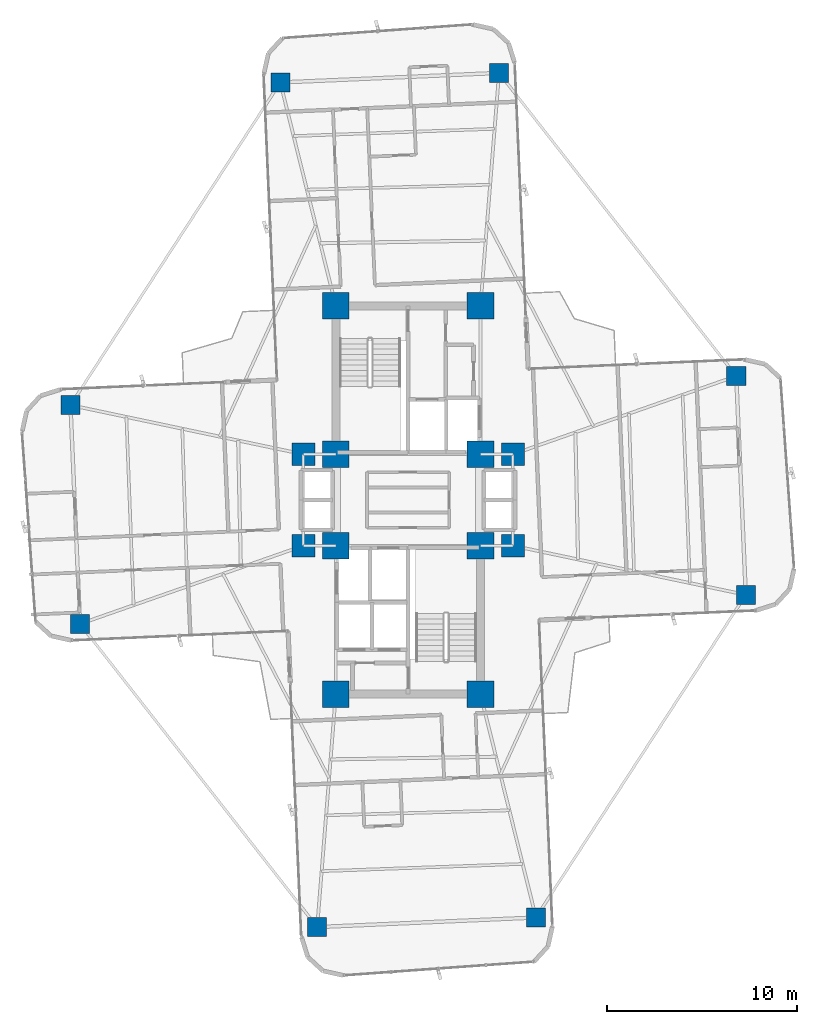
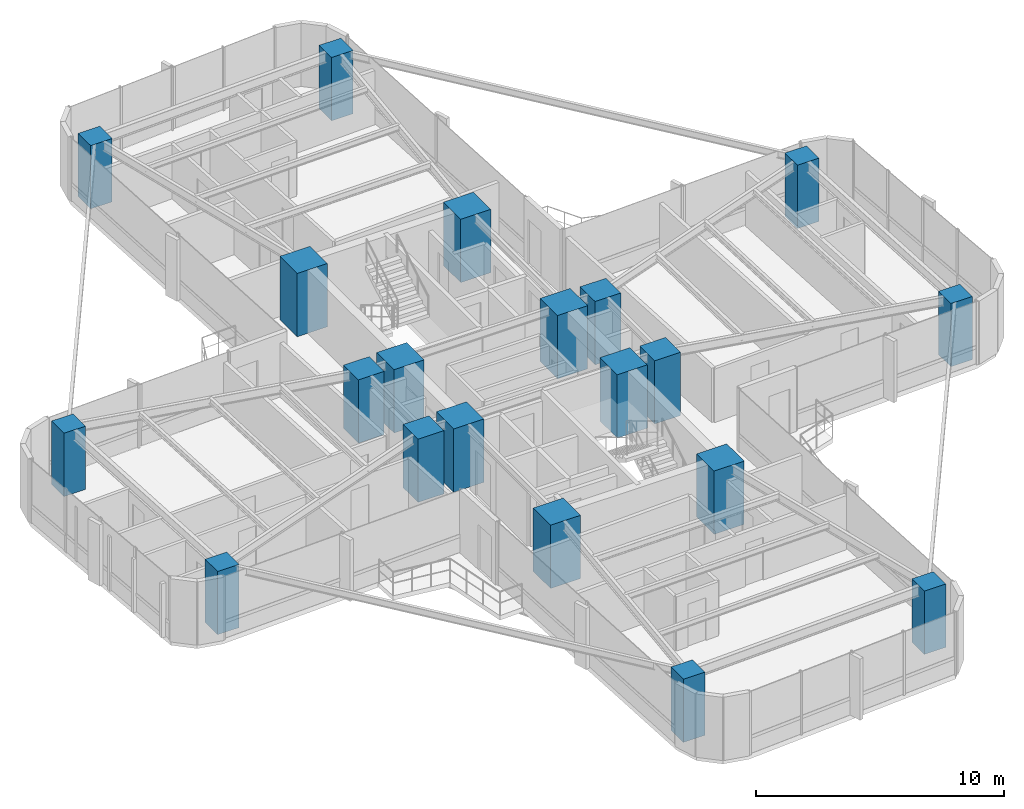
# One storey, part 1 of 26: 20 columns.
"""IFC4 building model written with IfcOpenShell, lengths in metres."""

from ifc_helpers import new_model, si_unit, direction, frame, origin, origin_2d, place, context, subcontext, project, spatial, rectangle, extrude, source, transform, mapped, material, material_profile, profile_set, type_object, element, save


model = new_model("IFC4")

# Units and contexts
model_context = context("Model", 3, precision=1e-05, world=origin(), true_north=direction((0.0, 1.0)))
body_context = subcontext(model_context, "Body", "Model", "MODEL_VIEW")
ifc_project = project(units=[si_unit("LENGTHUNIT", "METRE"), si_unit("AREAUNIT", "SQUARE_METRE"), si_unit("VOLUMEUNIT", "CUBIC_METRE"), si_unit("PLANEANGLEUNIT", "RADIAN"), si_unit("MASSUNIT", "GRAM", prefix="KILO")], contexts=[model_context])

# Site, building, storey
site_placement = place(None, origin())
site = spatial("IfcSite", under=ifc_project, at=site_placement, CompositionType="ELEMENT")
building_placement = place(site_placement, origin())
building = spatial("IfcBuilding", under=site, at=building_placement, Name="Sahyath Konkavel Grand Hotel", CompositionType="ELEMENT")
storey_placement = place(building_placement, frame((0.0, 0.0, 124.85009765625)))
storey = spatial("IfcBuildingStorey", under=building, at=storey_placement, Name="L34", CompositionType="ELEMENT", Elevation=124.85009765625)

# Columns
ifc_material_1 = material(Name="Concrete C70/85", Category="concrete")
ifc_material_profile_1 = material_profile(ifc_material_1, rectangle(XDim=1.39990234375, YDim=1.39990234375, at=origin_2d()), Name="RC 1400x1400")
ifc_profile_set_1 = profile_set([ifc_material_profile_1], Name="Concrete C70/85")
column_type_1 = type_object("IfcColumnType", Name="COL-RC1400", PredefinedType="COLUMN", material=ifc_profile_set_1)
shared_shape_1 = source(origin(), body_context, "Body", "SweptSolid", [
    extrude(rectangle(XDim=1.39990234375, YDim=1.39990234375, at=origin_2d()), origin(), (0.0, 0.0, 1.0), 3.10986328125),
])
for number, where, z_axis, x_axis, name in (
    (1, (-3.800048828125, 2.39990234375, 0.0), (0.0, 0.0, 1.0), (1.0, 0.0, 0.0), "L34 Core Boundary Column NC-SW"),
    (2, (3.800048828125, 2.39990234375, 0.0), (0.0, 0.0, 1.0), (1.0, 0.0, 0.0), "L34 Core Boundary Column NC-SE"),
    (3, (-3.800048828125, 10.199951171875, 0.0), (0.0, 0.0, 1.0), (1.0, 0.0, 0.0), "L34 Core Boundary Column NC-NW"),
    (4, (3.800048828125, 10.199951171875, 0.0), (0.0, 0.0, 1.0), (1.0, 0.0, 0.0), "L34 Core Boundary Column NC-NE"),
    (5, (-3.800048828125, -2.39990234375, 0.0), (0.0, 0.0, 1.0), (1.0, 0.0, 0.0), "L34 Core Boundary Column SC-NW"),
    (6, (3.800048828125, -2.39990234375, 0.0), (0.0, 0.0, 1.0), (1.0, 0.0, 0.0), "L34 Core Boundary Column SC-NE"),
    (7, (-3.800048828125, -10.199951171875, 0.0), (0.0, 0.0, 1.0), (1.0, 0.0, 0.0), "L34 Core Boundary Column SC-SW"),
    (8, (3.800048828125, -10.199951171875, 0.0), (0.0, 0.0, 1.0), (1.0, 0.0, 0.0), "L34 Core Boundary Column SC-SE"),
):
    element("IfcColumn", number, at=place(storey_placement, frame(where, z_axis=z_axis, x_axis=x_axis)), inside=storey, type_object=column_type_1, Name=name, PredefinedType="COLUMN", context=body_context, shape_type="MappedRepresentation", body=[
        mapped(shared_shape_1, transform((0.0, 0.0, 0.0), scale=1.0)),
    ])
ifc_material_2 = material(Name="Concrete C50/60", Category="concrete")
ifc_material_profile_2 = material_profile(ifc_material_2, rectangle(XDim=1.199951171875, YDim=1.199951171875, at=origin_2d()), Name="RC 1200x1200")
ifc_profile_set_2 = profile_set([ifc_material_profile_2], Name="Concrete C50/60")
column_type_2 = type_object("IfcColumnType", Name="COL-RC1200", PredefinedType="COLUMN", material=ifc_profile_set_2)
shared_shape_2 = source(origin(), body_context, "Body", "SweptSolid", [
    extrude(rectangle(XDim=1.199951171875, YDim=1.199951171875, at=origin_2d()), origin(), (0.0, 0.0, 1.0), 3.10986328125),
])
for number, where, z_axis, x_axis, name in (
    (9, (5.5, 2.39990234375, 0.0), (0.0, 0.0, 1.0), (1.0, 0.0, 0.0), "L34 Central Spine Column HB-NE"),
    (10, (-5.5, 2.39990234375, 0.0), (0.0, 0.0, 1.0), (1.0, 0.0, 0.0), "L34 Central Spine Column HB-NW"),
    (11, (5.5, -2.39990234375, 0.0), (0.0, 0.0, 1.0), (1.0, 0.0, 0.0), "L34 Central Spine Column HB-SE"),
    (12, (-5.5, -2.39990234375, 0.0), (0.0, 0.0, 1.0), (1.0, 0.0, 0.0), "L34 Central Spine Column HB-SW"),
):
    element("IfcColumn", number, at=place(storey_placement, frame(where, z_axis=z_axis, x_axis=x_axis)), inside=storey, type_object=column_type_2, Name=name, PredefinedType="COLUMN", context=body_context, shape_type="MappedRepresentation", body=[
        mapped(shared_shape_2, transform((0.0, 0.0, 0.0), scale=1.0)),
    ])
ifc_material_profile_3 = material_profile(ifc_material_2, rectangle(XDim=1.0, YDim=1.0, at=origin_2d()), Name="RC 1000x1000")
ifc_profile_set_3 = profile_set([ifc_material_profile_3], Name="Concrete C50/60")
column_type_3 = type_object("IfcColumnType", Name="COL-RC1000", PredefinedType="COLUMN", material=ifc_profile_set_3)
shared_shape_3 = source(origin(), body_context, "Body", "SweptSolid", [
    extrude(rectangle(XDim=1.0, YDim=1.0, at=origin_2d()), origin(), (0.0, 0.0, 1.0), 3.10986328125),
])
for number, where, z_axis, x_axis, name in (
    (13, (17.734130859375, -4.981201171875, 0.0), (0.0, 0.0, 1.0), (1.0, 0.0, 0.0), "L34 Cruciform Wing Column WC-EA"),
    (14, (17.232421875, 6.5078125, 0.0), (0.0, 0.0, 1.0), (1.0, 0.0, 0.0), "L34 Cruciform Wing Column WC-EB"),
    (15, (4.776123046875, 22.4296875, 0.0), (0.0, 0.0, 1.0), (1.0, 0.0, 0.0), "L34 Cruciform Wing Column WC-NA"),
    (16, (-6.712890625, 21.927978515625, 0.0), (0.0, 0.0, 1.0), (1.0, 0.0, 0.0), "L34 Cruciform Wing Column WC-NB"),
    (17, (-17.734130859375, 4.981201171875, 0.0), (0.0, 0.0, 1.0), (1.0, 0.0, 0.0), "L34 Cruciform Wing Column WC-WA"),
    (18, (-17.232421875, -6.5078125, 0.0), (0.0, 0.0, 1.0), (1.0, 0.0, 0.0), "L34 Cruciform Wing Column WC-WB"),
    (19, (-4.776123046875, -22.4296875, 0.0), (0.0, 0.0, 1.0), (1.0, 0.0, 0.0), "L34 Cruciform Wing Column WC-SA"),
    (20, (6.712890625, -21.927978515625, 0.0), (0.0, 0.0, 1.0), (1.0, 0.0, 0.0), "L34 Cruciform Wing Column WC-SB"),
):
    element("IfcColumn", number, at=place(storey_placement, frame(where, z_axis=z_axis, x_axis=x_axis)), inside=storey, type_object=column_type_3, Name=name, PredefinedType="COLUMN", context=body_context, shape_type="MappedRepresentation", body=[
        mapped(shared_shape_3, transform((0.0, 0.0, 0.0), scale=1.0)),
    ])

save(model, "model.ifc")
